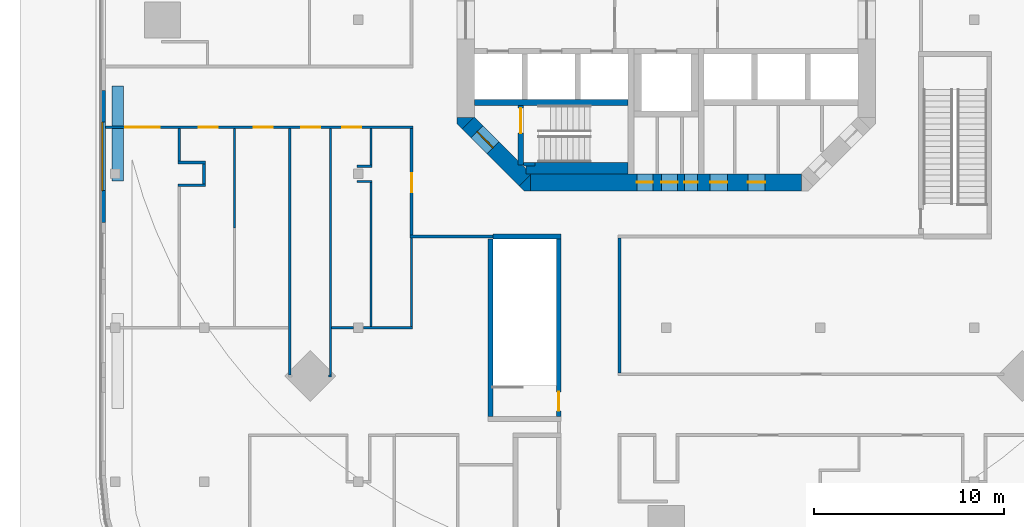
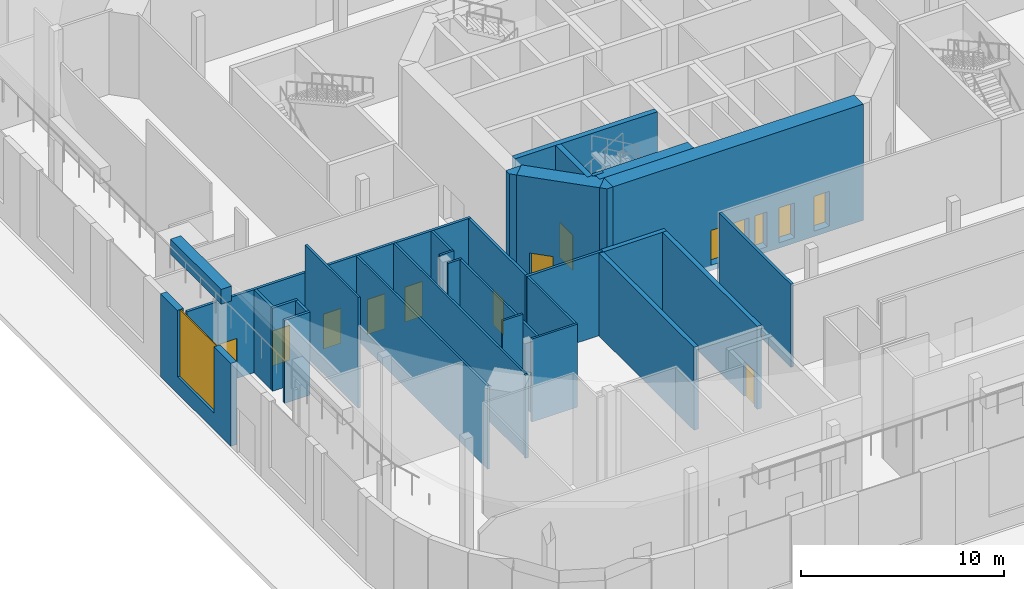
# One storey, part 7 of 17: 32 walls, 14 doors, 1 window, 15 openings.
"""IFC4 building model written with IfcOpenShell, lengths in metres."""

import ifcopenshell
import ifcopenshell.guid

model = None  # the IFC model being written
_history = None  # IfcOwnerHistory: only IFC2X3 demands one
_inside = {}  # id of a spatial element -> (the spatial element, [elements in it])
_under = {}  # id of a project, library or spatial element -> (it, [spatial elements below it])
_declared = {}  # id of a project -> (the project, [libraries it declares])
_typed = {}  # id of a type object -> (the type object, [elements of that type])
_made_of = {}  # id of a material, layer set ... -> (it, [elements and type objects made of it])


def new_model(schema):
    """Start an empty IFC model of exactly this schema.

    Asked for "IFC4X3", IfcOpenShell would pick the latest addendum, in which some entities
    have other attributes; the version numbers below select the first issue.
    IFC2X3 requires an IfcOwnerHistory on every rooted entity: one is made here for all.
    """
    global model, _history
    if schema == "IFC4X3":
        model = ifcopenshell.file(schema_version=(4, 3, 0, 0))
    else:
        model = ifcopenshell.file(schema=schema)
    _inside.clear()
    _under.clear()
    _declared.clear()
    _typed.clear()
    _made_of.clear()
    _history = None
    if model.schema == "IFC2X3":
        org = make("IfcOrganization", Name="unknown")
        user = make(
            "IfcPersonAndOrganization",
            ThePerson=make("IfcPerson", FamilyName="unknown"),
            TheOrganization=org,
        )
        app = make(
            "IfcApplication",
            ApplicationDeveloper=org,
            Version="unknown",
            ApplicationFullName="unknown",
            ApplicationIdentifier="unknown",
        )
        _history = make(
            "IfcOwnerHistory",
            OwningUser=user,
            OwningApplication=app,
            ChangeAction="ADDED",
            CreationDate=0,
        )
    return model


def make(cls, **values):
    """One entity of the class cls with the attributes given. An attribute that is None is left unset."""
    return model.create_entity(
        cls, **{name: value for name, value in values.items() if value is not None}
    )


def rooted(cls, **values):
    """An entity with a GlobalId (a new one), such as an element, a storey or a relation."""
    return make(cls, GlobalId=ifcopenshell.guid.new(), OwnerHistory=_history, **values)


def si_unit(unit_type, name, prefix=None):
    """IfcSIUnit, for example si_unit("LENGTHUNIT", "METRE", prefix="MILLI")."""
    return make("IfcSIUnit", UnitType=unit_type, Prefix=prefix, Name=name)


def assignment(units):
    """IfcUnitAssignment: the units of a project."""
    return None if units is None else make("IfcUnitAssignment", Units=units)


def point(xyz):
    """IfcCartesianPoint."""
    return None if xyz is None else make("IfcCartesianPoint", Coordinates=xyz)


def direction(xyz):
    """IfcDirection."""
    return None if xyz is None else make("IfcDirection", DirectionRatios=xyz)


def frame(location, z_axis=None, x_axis=None):
    """IfcAxis2Placement3D, a coordinate frame: its origin and axes. An axis left out is left unset."""
    return make(
        "IfcAxis2Placement3D",
        Location=point(location),
        Axis=direction(z_axis),
        RefDirection=direction(x_axis),
    )


def frame_2d(location, x_axis=None):
    """IfcAxis2Placement2D, a coordinate frame in the plane: its origin and x axis."""
    return make(
        "IfcAxis2Placement2D", Location=point(location), RefDirection=direction(x_axis)
    )


def origin():
    """The frame at (0, 0, 0) with its axes left unset."""
    return frame((0.0, 0.0, 0.0))


def place(relative_to, where):
    """IfcLocalPlacement: puts the frame where relative to a parent placement (None: the world)."""
    return make(
        "IfcLocalPlacement", PlacementRelTo=relative_to, RelativePlacement=where
    )


def context(
    kind, dimensions, precision=None, world=None, true_north=None, identifier=None
):
    """IfcGeometricRepresentationContext, for example the 3D "Model" context."""
    return make(
        "IfcGeometricRepresentationContext",
        ContextIdentifier=identifier,
        ContextType=kind,
        CoordinateSpaceDimension=dimensions,
        Precision=precision,
        WorldCoordinateSystem=world,
        TrueNorth=true_north,
    )


def subcontext(parent, identifier, kind, view, scale=None):
    """IfcGeometricRepresentationSubContext, for example "Body" below "Model"."""
    return make(
        "IfcGeometricRepresentationSubContext",
        ContextIdentifier=identifier,
        ContextType=kind,
        ParentContext=parent,
        TargetScale=scale,
        TargetView=view,
    )


def project(units=None, contexts=None):
    """IfcProject with its units and contexts."""
    return rooted(
        "IfcProject",
        Name="project",
        RepresentationContexts=contexts,
        UnitsInContext=assignment(units),
    )


def spatial(cls, under=None, at=None, **own):
    """A site, building, storey or space (cls), placed at a placement, below another one or the project."""
    s = rooted(cls, ObjectPlacement=at, **own)
    if under is not None:
        _under.setdefault(under.id(), (under, []))[1].append(s)
    return s


def polyline(points):
    """IfcPolyline through the points."""
    return make("IfcPolyline", Points=[point(p) for p in points])


def profile(cls, at=None, kind="AREA", **sizes):
    """A parametric profile (cls). Its sizes go by their IFC names, for example OverallWidth=200.0."""
    return make(cls, ProfileType=kind, Position=at, **sizes)


def rectangle(**sizes):
    """IfcRectangleProfileDef."""
    return profile("IfcRectangleProfileDef", **sizes)


def outline(outer, holes=None, kind="AREA"):
    """IfcArbitraryClosedProfileDef: a profile drawn as a closed curve; with holes, ...WithVoids."""
    if holes is None:
        return make("IfcArbitraryClosedProfileDef", ProfileType=kind, OuterCurve=outer)
    return make(
        "IfcArbitraryProfileDefWithVoids",
        ProfileType=kind,
        OuterCurve=outer,
        InnerCurves=holes,
    )


def extrude(swept, where, along, depth):
    """IfcExtrudedAreaSolid: the profile swept, set in the frame where, extruded along a direction by depth."""
    return make(
        "IfcExtrudedAreaSolid",
        SweptArea=swept,
        Position=where,
        ExtrudedDirection=direction(along),
        Depth=depth,
    )


def shape(context_of_items, identifier, shape_type, items):
    """IfcShapeRepresentation: the items that make up one representation, for example the "Body"."""
    return make(
        "IfcShapeRepresentation",
        ContextOfItems=context_of_items,
        RepresentationIdentifier=identifier,
        RepresentationType=shape_type,
        Items=items,
    )


def material(Name=None, Category=None):
    """IfcMaterial."""
    return make("IfcMaterial", Name=Name, Category=Category)


def layer(
    of_material, thickness, ventilated=None, Name=None, Category=None, Priority=None
):
    """IfcMaterialLayer: one layer of a wall or slab, of a material (None: an air gap)."""
    return make(
        "IfcMaterialLayer",
        Material=of_material,
        LayerThickness=thickness,
        IsVentilated=ventilated,
        Name=Name,
        Category=Category,
        Priority=Priority,
    )


def layer_set(layers, Name=None):
    """IfcMaterialLayerSet."""
    return make("IfcMaterialLayerSet", MaterialLayers=layers, LayerSetName=Name)


def made_of(thing, what):
    """Note that an element or type object is made of a material, layer set ...; save() writes the relation."""
    if what is not None:
        _made_of.setdefault(what.id(), (what, []))[1].append(thing)
    return thing


def type_object(cls, material=None, **own):
    """A type object (cls), such as IfcWallType, which elements share."""
    return made_of(rooted(cls, **own), material)


def element(
    cls,
    number,
    at=None,
    inside=None,
    cuts=None,
    type_object=None,
    material=None,
    context=None,
    identifier="Body",
    shape_type=None,
    held_by="IfcProductDefinitionShape",
    body=None,
    shapes=None,
    **own,
):
    """One element of the class cls, such as IfcWall. Its Tag is "e" and its number.

    at: its placement. inside: the storey or other place that contains it. cuts: it is an
    opening in that element (IfcRelVoidsElement). A single representation is given by context,
    identifier, shape_type and body (its items); several are given by shapes. held_by: the class
    of the entity that holds the representations. save() writes the other relations.
    """
    e = rooted(cls, Tag="e%d" % number, ObjectPlacement=at, **own)
    if body is not None:
        shapes = [shape(context, identifier, shape_type, body)]
    if shapes is not None:
        e.Representation = make(held_by, Representations=shapes)
    if inside is not None:
        _inside.setdefault(inside.id(), (inside, []))[1].append(e)
    if cuts is not None:
        rooted(
            "IfcRelVoidsElement", RelatingBuildingElement=cuts, RelatedOpeningElement=e
        )
    if type_object is not None:
        _typed.setdefault(type_object.id(), (type_object, []))[1].append(e)
    return made_of(e, material)


def fill(opening, filler):
    """IfcRelFillsElement: the door or window that sits in an opening."""
    return rooted(
        "IfcRelFillsElement",
        RelatingOpeningElement=opening,
        RelatedBuildingElement=filler,
    )


def aggregate(whole, parts):
    """IfcRelAggregates: a whole, such as a stair, and the parts it consists of."""
    return rooted("IfcRelAggregates", RelatingObject=whole, RelatedObjects=parts)


def save(model, path):
    """Write the relations noted so far, then the file.

    IfcRelAggregates (storeys below a building ...), IfcRelContainedInSpatialStructure (elements
    in a storey), IfcRelDefinesByType, IfcRelAssociatesMaterial and IfcRelDeclares: one each for
    every whole, place, type object, material and project.
    """
    for whole, parts in _under.values():
        aggregate(whole, parts)
    for where, things in _inside.values():
        rooted(
            "IfcRelContainedInSpatialStructure",
            RelatedElements=things,
            RelatingStructure=where,
        )
    for kind, things in _typed.values():
        rooted("IfcRelDefinesByType", RelatedObjects=things, RelatingType=kind)
    for what, things in _made_of.values():
        rooted("IfcRelAssociatesMaterial", RelatedObjects=things, RelatingMaterial=what)
    for by, libraries in _declared.values():
        rooted("IfcRelDeclares", RelatingContext=by, RelatedDefinitions=libraries)
    model.write(path)


model = new_model("IFC4")

# Units and contexts
model_context = context("Model", 3, precision=1e-05, world=origin(), true_north=direction((0.0, 1.0)))
body_context = subcontext(model_context, "Body", "Model", "MODEL_VIEW")
ifc_project = project(units=[si_unit("LENGTHUNIT", "METRE"), si_unit("AREAUNIT", "SQUARE_METRE"), si_unit("VOLUMEUNIT", "CUBIC_METRE"), si_unit("PLANEANGLEUNIT", "RADIAN"), si_unit("MASSUNIT", "GRAM", prefix="KILO")], contexts=[model_context])

# Site, building, storey
site_placement = place(None, origin())
site = spatial("IfcSite", under=ifc_project, at=site_placement, CompositionType="ELEMENT")
building_placement = place(site_placement, origin())
building = spatial("IfcBuilding", under=site, at=building_placement, Name="Torre Triforio", CompositionType="ELEMENT")
storey_placement = place(building_placement, frame((0.0, 0.0, 13.0)))
storey = spatial("IfcBuildingStorey", under=building, at=storey_placement, Name="L02", CompositionType="ELEMENT", Elevation=13.0)

# Wall, openings, doors
ifc_material_1 = material(Name="Concrete C60", Category="concrete")
ifc_layer_1 = layer(ifc_material_1, 0.89990234375)
ifc_layer_set_1 = layer_set([ifc_layer_1], Name="Concrete C60")
wall_type_1 = type_object("IfcWallType", Name="Core wall 900 mm C60 EI 120", PredefinedType="SHEAR", material=ifc_layer_set_1)
wall_1_placement = place(storey_placement, frame((-7.1298828125, -8.550048828125, -0.320068359375), z_axis=(0.0, 0.0, 1.0), x_axis=(1.0, 0.0, 0.0)))
wall_1 = element("IfcWall", 1, at=wall_1_placement, inside=storey, type_object=wall_type_1, Name="Core wall", PredefinedType="SHEAR", context=body_context, shape_type="SweptSolid", body=[
    extrude(rectangle(XDim=14.259765625, YDim=0.89990234375, at=frame_2d((7.1298828125, 0.0))), origin(), (0.0, 0.0, 1.0), 7.0),
])
opening_1_placement = place(wall_1_placement, frame((8.080078125, 0.0, 0.320068359375)))
opening_1 = element("IfcOpeningElement", 2, at=opening_1_placement, cuts=wall_1, Name="Opening RISER-S", PredefinedType="OPENING", context=body_context, shape_type="SweptSolid", body=[
    extrude(rectangle(XDim=0.699951171875, YDim=2.10009765625, at=frame_2d((0.35009765625, 1.050048828125))), frame((0.0, 0.4599609375, 0.0), z_axis=(0.0, -1.0, 0.0), x_axis=(1.0, 0.0, 0.0)), (0.0, 0.0, 1.0), 0.919921875),
])
opening_2_placement = place(wall_1_placement, frame((5.580078125, 0.0, 0.320068359375)))
opening_2 = element("IfcOpeningElement", 3, at=opening_2_placement, cuts=wall_1, Name="Opening SW-01A", PredefinedType="OPENING", context=body_context, shape_type="SweptSolid", body=[
    extrude(rectangle(XDim=0.85009765625, YDim=2.10009765625, at=frame_2d((0.425048828125, 1.050048828125))), frame((0.0, 0.4599609375, 0.0), z_axis=(0.0, -1.0, 0.0), x_axis=(1.0, 0.0, 0.0)), (0.0, 0.0, 1.0), 0.919921875),
])
opening_3_placement = place(wall_1_placement, frame((6.8798828125, 0.0, 0.320068359375)))
opening_3 = element("IfcOpeningElement", 4, at=opening_3_placement, cuts=wall_1, Name="Opening SW-02", PredefinedType="OPENING", context=body_context, shape_type="SweptSolid", body=[
    extrude(rectangle(XDim=0.85009765625, YDim=2.10009765625, at=frame_2d((0.425048828125, 1.050048828125))), frame((0.0, 0.4599609375, 0.0), z_axis=(0.0, -1.0, 0.0), x_axis=(1.0, 0.0, 0.0)), (0.0, 0.0, 1.0), 0.919921875),
])
opening_4_placement = place(wall_1_placement, frame((9.445068359375, 0.0, 0.320068359375)))
opening_4 = element("IfcOpeningElement", 5, at=opening_4_placement, cuts=wall_1, Name="Opening SE-01A", PredefinedType="OPENING", context=body_context, shape_type="SweptSolid", body=[
    extrude(rectangle(XDim=0.89990234375, YDim=2.10009765625, at=frame_2d((0.449951171875, 1.050048828125))), frame((0.0, 0.4599609375, 0.0), z_axis=(0.0, -1.0, 0.0), x_axis=(1.0, 0.0, 0.0)), (0.0, 0.0, 1.0), 0.919921875),
])
opening_5_placement = place(wall_1_placement, frame((11.430908203125, 0.0, 0.320068359375)))
opening_5 = element("IfcOpeningElement", 6, at=opening_5_placement, cuts=wall_1, Name="Opening SE-02", PredefinedType="OPENING", context=body_context, shape_type="SweptSolid", body=[
    extrude(rectangle(XDim=0.89990234375, YDim=2.10009765625, at=frame_2d((0.449951171875, 1.050048828125))), frame((0.0, 0.4599609375, 0.0), z_axis=(0.0, -1.0, 0.0), x_axis=(1.0, 0.0, 0.0)), (0.0, 0.0, 1.0), 0.919921875),
])
ifc_material_2 = material(Name="Hollow metal fire door leaf")
door_type_1 = type_object("IfcDoorType", Name="Riser door 700 x 2100 EI 60", OperationType="NOTDEFINED", PredefinedType="DOOR", material=ifc_material_2)
door_1_placement = place(opening_1_placement, origin())
door_1 = element("IfcDoor", 7, at=door_1_placement, inside=storey, type_object=door_type_1, Name="Core door RISER-S", OperationType="SINGLE_SWING_RIGHT", OverallHeight=2.10009765625, OverallWidth=0.699951171875, PredefinedType="DOOR", context=body_context, shape_type="SweptSolid", body=[
    extrude(rectangle(XDim=0.699951171875, YDim=2.10009765625, at=frame_2d((0.35009765625, 1.050048828125))), frame((0.0, 0.02490234375, 0.0), z_axis=(0.0, -1.0, 0.0), x_axis=(1.0, 0.0, 0.0)), (0.0, 0.0, 1.0), 0.050048828125),
])
fill(opening_1, door_1)
door_type_2 = type_object("IfcDoorType", Name="Room door 850 x 2100 EI 60", OperationType="NOTDEFINED", PredefinedType="DOOR", material=ifc_material_2)
door_2_placement = place(opening_2_placement, origin())
door_2 = element("IfcDoor", 8, at=door_2_placement, inside=storey, type_object=door_type_2, Name="Core door SW-01", OperationType="SINGLE_SWING_RIGHT", OverallHeight=2.10009765625, OverallWidth=0.85009765625, PredefinedType="DOOR", context=body_context, shape_type="SweptSolid", body=[
    extrude(rectangle(XDim=0.85009765625, YDim=2.10009765625, at=frame_2d((0.425048828125, 1.050048828125))), frame((0.0, 0.02490234375, 0.0), z_axis=(0.0, -1.0, 0.0), x_axis=(1.0, 0.0, 0.0)), (0.0, 0.0, 1.0), 0.050048828125),
])
fill(opening_2, door_2)
door_3_placement = place(opening_3_placement, origin())
door_3 = element("IfcDoor", 9, at=door_3_placement, inside=storey, type_object=door_type_2, Name="Core door SW-02", OperationType="SINGLE_SWING_LEFT", OverallHeight=2.10009765625, OverallWidth=0.85009765625, PredefinedType="DOOR", context=body_context, shape_type="SweptSolid", body=[
    extrude(rectangle(XDim=0.85009765625, YDim=2.10009765625, at=frame_2d((0.425048828125, 1.050048828125))), frame((0.0, 0.02490234375, 0.0), z_axis=(0.0, -1.0, 0.0), x_axis=(1.0, 0.0, 0.0)), (0.0, 0.0, 1.0), 0.050048828125),
])
fill(opening_3, door_3)
door_type_3 = type_object("IfcDoorType", Name="Room door 900 x 2100 EI 60", OperationType="NOTDEFINED", PredefinedType="DOOR", material=ifc_material_2)
door_4_placement = place(opening_4_placement, origin())
door_4 = element("IfcDoor", 10, at=door_4_placement, inside=storey, type_object=door_type_3, Name="Core door SE-01", OperationType="SINGLE_SWING_RIGHT", OverallHeight=2.10009765625, OverallWidth=0.89990234375, PredefinedType="DOOR", context=body_context, shape_type="SweptSolid", body=[
    extrude(rectangle(XDim=0.89990234375, YDim=2.10009765625, at=frame_2d((0.449951171875, 1.050048828125))), frame((0.0, 0.02490234375, 0.0), z_axis=(0.0, -1.0, 0.0), x_axis=(1.0, 0.0, 0.0)), (0.0, 0.0, 1.0), 0.050048828125),
])
fill(opening_4, door_4)
door_5_placement = place(opening_5_placement, origin())
door_5 = element("IfcDoor", 11, at=door_5_placement, inside=storey, type_object=door_type_3, Name="Core door SE-02", OperationType="SINGLE_SWING_LEFT", OverallHeight=2.10009765625, OverallWidth=0.89990234375, PredefinedType="DOOR", context=body_context, shape_type="SweptSolid", body=[
    extrude(rectangle(XDim=0.89990234375, YDim=2.10009765625, at=frame_2d((0.449951171875, 1.050048828125))), frame((0.0, 0.02490234375, 0.0), z_axis=(0.0, -1.0, 0.0), x_axis=(1.0, 0.0, 0.0)), (0.0, 0.0, 1.0), 0.050048828125),
])
fill(opening_5, door_5)

# Wall, opening, door
wall_2_placement = place(storey_placement, frame((-7.418212890625, -8.418212890625, -0.320068359375), z_axis=(0.0, 0.0, 1.0), x_axis=(-0.707106781187, 0.707106781187, 0.0)))
wall_2 = element("IfcWall", 12, at=wall_2_placement, inside=storey, type_object=wall_type_1, Name="Core wall", PredefinedType="SHEAR", context=body_context, shape_type="SweptSolid", body=[
    extrude(rectangle(XDim=4.24267578125, YDim=0.89990234375, at=frame_2d((2.121337890625, 0.0))), origin(), (0.0, 0.0, 1.0), 7.0),
])
opening_6_placement = place(wall_2_placement, frame((2.392578125, 0.0, 0.320068359375)))
opening_6 = element("IfcOpeningElement", 13, at=opening_6_placement, cuts=wall_2, Name="Opening ST3-EXIT", PredefinedType="OPENING", context=body_context, shape_type="SweptSolid", body=[
    extrude(rectangle(XDim=1.199951171875, YDim=2.10009765625, at=frame_2d((0.60009765625, 1.050048828125))), frame((0.0, 0.4599609375, 0.0), z_axis=(0.0, -1.0, 0.0), x_axis=(1.0, 0.0, 0.0)), (0.0, 0.0, 1.0), 0.919921875),
])
door_type_4 = type_object("IfcDoorType", Name="Stair lobby door 1200 x 2100 EI 60", OperationType="NOTDEFINED", PredefinedType="DOOR", material=ifc_material_2)
door_6_placement = place(opening_6_placement, origin())
door_6 = element("IfcDoor", 14, at=door_6_placement, inside=storey, type_object=door_type_4, Name="Core door ST3-EXIT", OperationType="SINGLE_SWING_RIGHT", OverallHeight=2.10009765625, OverallWidth=1.199951171875, PredefinedType="DOOR", context=body_context, shape_type="SweptSolid", body=[
    extrude(rectangle(XDim=1.199951171875, YDim=2.10009765625, at=frame_2d((0.60009765625, 1.050048828125))), frame((0.0, 0.02490234375, 0.0), z_axis=(0.0, -1.0, 0.0), x_axis=(1.0, 0.0, 0.0)), (0.0, 0.0, 1.0), 0.050048828125),
])
fill(opening_6, door_6)

# Walls
wall_3_placement = place(storey_placement, frame((0.0, 0.0, -0.320068359375)))
element("IfcWall", 15, at=wall_3_placement, inside=storey, type_object=wall_type_1, Name="Core wall", PredefinedType="SHEAR", context=body_context, shape_type="SweptSolid", body=[
    extrude(outline(polyline([(-7.472900390625, -9.0), (-7.736328125, -8.736328125), (-7.1298828125, -8.1298828125), (-7.1298828125, -9.0), (-7.472900390625, -9.0)])), origin(), (0.0, 0.0, 1.0), 7.0),
])
wall_4_placement = place(storey_placement, frame((0.0, 0.0, -0.320068359375)))
element("IfcWall", 16, at=wall_4_placement, inside=storey, type_object=wall_type_1, Name="Core wall", PredefinedType="SHEAR", context=body_context, shape_type="SweptSolid", body=[
    extrude(outline(polyline([(-11.0, -5.472900390625), (-11.0, -5.1298828125), (-10.1298828125, -5.1298828125), (-10.736328125, -5.736328125), (-11.0, -5.472900390625)])), origin(), (0.0, 0.0, 1.0), 7.0),
])
ifc_material_3 = material(Name="Plasterboard on metal studs")
ifc_layer_2 = layer(ifc_material_3, 0.14990234375)
ifc_layer_set_2 = layer_set([ifc_layer_2], Name="Plasterboard on metal studs")
wall_type_2 = type_object("IfcWallType", Name="Corridor wall 150 EI 60", PredefinedType="PARTITIONING", material=ifc_layer_set_2)
for number, where, z_axis, x_axis, name in (
    (17, (-25.695556640625, -8.699951171875, 0.0), (0.0, 0.0, 1.0), (1.0, 0.0, 0.0), "Corridor wall L02 023"),
    (18, (-25.695556640625, -7.5, 0.0), (0.0, 0.0, 1.0), (1.0, 0.0, 0.0), "Corridor wall L02 024"),
):
    element("IfcWall", number, at=place(storey_placement, frame(where, z_axis=z_axis, x_axis=x_axis)), inside=storey, type_object=wall_type_2, Name=name, PredefinedType="PARTITIONING", context=body_context, shape_type="SweptSolid", body=[
        extrude(rectangle(XDim=1.450439453125, YDim=0.14990234375, at=frame_2d((0.72509765625, 0.0))), origin(), (0.0, 0.0, 1.0), 5.0),
    ])
wall_5_placement = place(storey_placement, frame((-25.62060546875, -7.425048828125, 0.0), z_axis=(0.0, 0.0, 1.0), x_axis=(0.0, 1.0, 0.0)))
element("IfcWall", 19, at=wall_5_placement, inside=storey, type_object=wall_type_2, Name="Corridor wall L02 026", PredefinedType="PARTITIONING", context=body_context, shape_type="SweptSolid", body=[
    extrude(rectangle(XDim=1.699951171875, YDim=0.14990234375, at=frame_2d((0.85009765625, 0.0))), origin(), (0.0, 0.0, 1.0), 5.0),
])
wall_6_placement = place(storey_placement, frame((-24.320068359375, -8.625, 0.0), z_axis=(0.0, 0.0, 1.0), x_axis=(0.0, 1.0, 0.0)))
element("IfcWall", 20, at=wall_6_placement, inside=storey, type_object=wall_type_2, Name="Corridor wall L02 027", PredefinedType="PARTITIONING", context=body_context, shape_type="SweptSolid", body=[
    extrude(rectangle(XDim=1.050048828125, YDim=0.14990234375, at=frame_2d((0.52490234375, 0.0))), origin(), (0.0, 0.0, 1.0), 5.0),
])

# Wall, openings, doors
wall_7_placement = place(storey_placement, frame((-29.5, -5.64990234375, 0.0), z_axis=(0.0, 0.0, 1.0), x_axis=(1.0, 0.0, 0.0)))
wall_7 = element("IfcWall", 21, at=wall_7_placement, inside=storey, type_object=wall_type_2, Name="Corridor wall L02 059", PredefinedType="PARTITIONING", context=body_context, shape_type="SweptSolid", body=[
    extrude(rectangle(XDim=16.175048828125, YDim=0.14990234375, at=frame_2d((8.08740234375, 0.0))), origin(), (0.0, 0.0, 1.0), 5.0),
])
opening_7_placement = place(wall_7_placement, frame((1.050048828125, 0.0, 0.0)))
opening_7 = element("IfcOpeningElement", 22, at=opening_7_placement, cuts=wall_7, Name="Opening P2-41", PredefinedType="OPENING", context=body_context, shape_type="SweptSolid", body=[
    extrude(rectangle(XDim=1.800048828125, YDim=2.39990234375, at=frame_2d((0.89990234375, 1.199951171875))), frame((0.0, 0.0849609375, 0.0), z_axis=(0.0, -1.0, 0.0), x_axis=(1.0, 0.0, 0.0)), (0.0, 0.0, 1.0), 0.169921875),
])
opening_8_placement = place(wall_7_placement, frame((4.904541015625, 0.0, 0.0)))
opening_8 = element("IfcOpeningElement", 23, at=opening_8_placement, cuts=wall_7, Name="Opening P2-42", PredefinedType="OPENING", context=body_context, shape_type="SweptSolid", body=[
    extrude(rectangle(XDim=1.0, YDim=2.10009765625, at=frame_2d((0.5, 1.050048828125))), frame((0.0, 0.0849609375, 0.0), z_axis=(0.0, -1.0, 0.0), x_axis=(1.0, 0.0, 0.0)), (0.0, 0.0, 1.0), 0.169921875),
])
opening_9_placement = place(wall_7_placement, frame((7.79931640625, 0.0, 0.0)))
opening_9 = element("IfcOpeningElement", 24, at=opening_9_placement, cuts=wall_7, Name="Opening P2-43", PredefinedType="OPENING", context=body_context, shape_type="SweptSolid", body=[
    extrude(rectangle(XDim=1.0, YDim=2.10009765625, at=frame_2d((0.5, 1.050048828125))), frame((0.0, 0.0849609375, 0.0), z_axis=(0.0, -1.0, 0.0), x_axis=(1.0, 0.0, 0.0)), (0.0, 0.0, 1.0), 0.169921875),
])
opening_10_placement = place(wall_7_placement, frame((10.308837890625, 0.0, 0.0)))
opening_10 = element("IfcOpeningElement", 25, at=opening_10_placement, cuts=wall_7, Name="Opening P2-44", PredefinedType="OPENING", context=body_context, shape_type="SweptSolid", body=[
    extrude(rectangle(XDim=1.0, YDim=2.10009765625, at=frame_2d((0.5, 1.050048828125))), frame((0.0, 0.0849609375, 0.0), z_axis=(0.0, -1.0, 0.0), x_axis=(1.0, 0.0, 0.0)), (0.0, 0.0, 1.0), 0.169921875),
])
opening_11_placement = place(wall_7_placement, frame((12.4423828125, 0.0, 0.0)))
opening_11 = element("IfcOpeningElement", 26, at=opening_11_placement, cuts=wall_7, Name="Opening P2-45", PredefinedType="OPENING", context=body_context, shape_type="SweptSolid", body=[
    extrude(rectangle(XDim=1.0, YDim=2.10009765625, at=frame_2d((0.5, 1.050048828125))), frame((0.0, 0.0849609375, 0.0), z_axis=(0.0, -1.0, 0.0), x_axis=(1.0, 0.0, 0.0)), (0.0, 0.0, 1.0), 0.169921875),
])
ifc_material_4 = material(Name="Timber door leaf", Category="wood")
door_type_5 = type_object("IfcDoorType", Name="Double door 1800 x 2400 EI 60", OperationType="NOTDEFINED", PredefinedType="DOOR", material=ifc_material_4)
door_7_placement = place(opening_7_placement, origin())
door_7 = element("IfcDoor", 27, at=door_7_placement, inside=storey, type_object=door_type_5, Name="Door P2-41", OperationType="SINGLE_SWING_LEFT", OverallHeight=2.39990234375, OverallWidth=1.800048828125, PredefinedType="DOOR", context=body_context, shape_type="SweptSolid", body=[
    extrude(rectangle(XDim=1.800048828125, YDim=2.39990234375, at=frame_2d((0.89990234375, 1.199951171875))), frame((0.0, 0.02490234375, 0.0), z_axis=(0.0, -1.0, 0.0), x_axis=(1.0, 0.0, 0.0)), (0.0, 0.0, 1.0), 0.050048828125),
])
fill(opening_7, door_7)
door_type_6 = type_object("IfcDoorType", Name="Single door 1000 x 2100 EI 30", OperationType="NOTDEFINED", PredefinedType="DOOR", material=ifc_material_4)
door_8_placement = place(opening_8_placement, origin())
door_8 = element("IfcDoor", 28, at=door_8_placement, inside=storey, type_object=door_type_6, Name="Door P2-42", OperationType="SINGLE_SWING_LEFT", OverallHeight=2.10009765625, OverallWidth=1.0, PredefinedType="DOOR", context=body_context, shape_type="SweptSolid", body=[
    extrude(rectangle(XDim=1.0, YDim=2.10009765625, at=frame_2d((0.5, 1.050048828125))), frame((0.0, 0.02490234375, 0.0), z_axis=(0.0, -1.0, 0.0), x_axis=(1.0, 0.0, 0.0)), (0.0, 0.0, 1.0), 0.050048828125),
])
fill(opening_8, door_8)
door_9_placement = place(opening_9_placement, origin())
door_9 = element("IfcDoor", 29, at=door_9_placement, inside=storey, type_object=door_type_6, Name="Door P2-43", OperationType="SINGLE_SWING_LEFT", OverallHeight=2.10009765625, OverallWidth=1.0, PredefinedType="DOOR", context=body_context, shape_type="SweptSolid", body=[
    extrude(rectangle(XDim=1.0, YDim=2.10009765625, at=frame_2d((0.5, 1.050048828125))), frame((0.0, 0.02490234375, 0.0), z_axis=(0.0, -1.0, 0.0), x_axis=(1.0, 0.0, 0.0)), (0.0, 0.0, 1.0), 0.050048828125),
])
fill(opening_9, door_9)
door_10_placement = place(opening_10_placement, origin())
door_10 = element("IfcDoor", 30, at=door_10_placement, inside=storey, type_object=door_type_6, Name="Door P2-44", OperationType="SINGLE_SWING_LEFT", OverallHeight=2.10009765625, OverallWidth=1.0, PredefinedType="DOOR", context=body_context, shape_type="SweptSolid", body=[
    extrude(rectangle(XDim=1.0, YDim=2.10009765625, at=frame_2d((0.5, 1.050048828125))), frame((0.0, 0.02490234375, 0.0), z_axis=(0.0, -1.0, 0.0), x_axis=(1.0, 0.0, 0.0)), (0.0, 0.0, 1.0), 0.050048828125),
])
fill(opening_10, door_10)
door_11_placement = place(opening_11_placement, origin())
door_11 = element("IfcDoor", 31, at=door_11_placement, inside=storey, type_object=door_type_6, Name="Door P2-45", OperationType="SINGLE_SWING_LEFT", OverallHeight=2.10009765625, OverallWidth=1.0, PredefinedType="DOOR", context=body_context, shape_type="SweptSolid", body=[
    extrude(rectangle(XDim=1.0, YDim=2.10009765625, at=frame_2d((0.5, 1.050048828125))), frame((0.0, 0.02490234375, 0.0), z_axis=(0.0, -1.0, 0.0), x_axis=(1.0, 0.0, 0.0)), (0.0, 0.0, 1.0), 0.050048828125),
])
fill(opening_11, door_11)

# Wall, opening, door
wall_8_placement = place(storey_placement, frame((-13.39990234375, -11.324951171875, 0.0), z_axis=(0.0, 0.0, 1.0), x_axis=(0.0, 1.0, 0.0)))
wall_8 = element("IfcWall", 32, at=wall_8_placement, inside=storey, type_object=wall_type_2, Name="Corridor wall L02 143", PredefinedType="PARTITIONING", context=body_context, shape_type="SweptSolid", body=[
    extrude(rectangle(XDim=5.599853515625, YDim=0.14990234375, at=frame_2d((2.7998046875, 0.0))), origin(), (0.0, 0.0, 1.0), 5.0),
])
opening_12_placement = place(wall_8_placement, frame((2.25, 0.0, 0.0)))
opening_12 = element("IfcOpeningElement", 33, at=opening_12_placement, cuts=wall_8, Name="Opening P2-46", PredefinedType="OPENING", context=body_context, shape_type="SweptSolid", body=[
    extrude(rectangle(XDim=1.0, YDim=2.10009765625, at=frame_2d((0.5, 1.050048828125))), frame((0.0, 0.0849609375, 0.0), z_axis=(0.0, -1.0, 0.0), x_axis=(1.0, 0.0, 0.0)), (0.0, 0.0, 1.0), 0.169921875),
])
door_12_placement = place(opening_12_placement, origin())
door_12 = element("IfcDoor", 34, at=door_12_placement, inside=storey, type_object=door_type_6, Name="Door P2-46", OperationType="SINGLE_SWING_LEFT", OverallHeight=2.10009765625, OverallWidth=1.0, PredefinedType="DOOR", context=body_context, shape_type="SweptSolid", body=[
    extrude(rectangle(XDim=1.0, YDim=2.10009765625, at=frame_2d((0.5, 1.050048828125))), frame((0.0, 0.02490234375, 0.0), z_axis=(0.0, -1.0, 0.0), x_axis=(1.0, 0.0, 0.0)), (0.0, 0.0, 1.0), 0.050048828125),
])
fill(opening_12, door_12)

# Walls
wall_9_placement = place(storey_placement, frame((-13.47509765625, -11.39990234375, 0.0), z_axis=(0.0, 0.0, 1.0), x_axis=(1.0, 0.0, 0.0)))
element("IfcWall", 35, at=wall_9_placement, inside=storey, type_object=wall_type_2, Name="Corridor wall L02 146", PredefinedType="PARTITIONING", context=body_context, shape_type="SweptSolid", body=[
    extrude(rectangle(XDim=4.35009765625, YDim=0.14990234375, at=frame_2d((2.175048828125, 0.0))), origin(), (0.0, 0.0, 1.0), 5.0),
])
wall_10_placement = place(storey_placement, frame((-2.449951171875, -18.574951171875, 0.0), z_axis=(0.0, 0.0, 1.0), x_axis=(0.0, 1.0, 0.0)))
element("IfcWall", 36, at=wall_10_placement, inside=storey, type_object=wall_type_2, Name="Corridor wall L02 156", PredefinedType="PARTITIONING", context=body_context, shape_type="SweptSolid", body=[
    extrude(rectangle(XDim=7.099853515625, YDim=0.14990234375, at=frame_2d((3.5498046875, 0.0))), origin(), (0.0, 0.0, 1.0), 5.0),
])
ifc_layer_3 = layer(ifc_material_3, 0.1201171875)
ifc_layer_set_3 = layer_set([ifc_layer_3], Name="Plasterboard on metal studs")
wall_type_3 = type_object("IfcWallType", Name="Partition 120", PredefinedType="PARTITIONING", material=ifc_layer_set_3)
wall_11_placement = place(storey_placement, frame((-22.710693359375, -10.952392578125, 0.0), z_axis=(0.0, 0.0, 1.0), x_axis=(0.0, 1.0, 0.0)))
element("IfcWall", 37, at=wall_11_placement, inside=storey, type_object=wall_type_3, Name="Partition L02 022", PredefinedType="PARTITIONING", context=body_context, shape_type="SweptSolid", body=[
    extrude(rectangle(XDim=5.227294921875, YDim=0.1201171875, at=frame_2d((2.61376953125, 0.0))), origin(), (0.0, 0.0, 1.0), 6.679931640625),
])
wall_12_placement = place(storey_placement, frame((-17.7783203125, -18.73828125, 0.0), z_axis=(0.0, 0.0, 1.0), x_axis=(1.0, 0.0, 0.0)))
element("IfcWall", 38, at=wall_12_placement, inside=storey, type_object=wall_type_3, Name="Partition L02 165", PredefinedType="PARTITIONING", context=body_context, shape_type="SweptSolid", body=[
    extrude(rectangle(XDim=0.1708984375, YDim=0.1201171875, at=frame_2d((0.08544921875, 0.0))), origin(), (0.0, 0.0, 1.0), 5.0),
])
for number, where, z_axis, x_axis, name in (
    (39, (-19.80126953125, -18.67822265625, 0.0), (0.0, 0.0, 1.0), (0.0, 1.0, 0.0), "Partition L02 166"),
    (40, (-17.66748046875, -18.67822265625, 0.0), (0.0, 0.0, 1.0), (0.0, 1.0, 0.0), "Partition L02 167"),
):
    element("IfcWall", number, at=place(storey_placement, frame(where, z_axis=z_axis, x_axis=x_axis)), inside=storey, type_object=wall_type_3, Name=name, PredefinedType="PARTITIONING", context=body_context, shape_type="SweptSolid", body=[
        extrude(rectangle(XDim=12.953125, YDim=0.1201171875, at=frame_2d((6.4765625, 0.0))), origin(), (0.0, 0.0, 1.0), 5.0),
    ])
for number, where, z_axis, x_axis, name in (
    (41, (-16.260009765625, -8.5, 0.0), (0.0, 0.0, 1.0), (1.0, 0.0, 0.0), "Partition L02 168"),
    (42, (-16.260009765625, -7.699951171875, 0.0), (0.0, 0.0, 1.0), (1.0, 0.0, 0.0), "Partition L02 169"),
):
    element("IfcWall", number, at=place(storey_placement, frame(where, z_axis=z_axis, x_axis=x_axis)), inside=storey, type_object=wall_type_3, Name=name, PredefinedType="PARTITIONING", context=body_context, shape_type="SweptSolid", body=[
        extrude(rectangle(XDim=0.786376953125, YDim=0.1201171875, at=frame_2d((0.39306640625, 0.0))), origin(), (0.0, 0.0, 1.0), 5.0),
    ])
wall_13_placement = place(storey_placement, frame((-15.53369140625, -16.139892578125, 0.0), z_axis=(0.0, 0.0, 1.0), x_axis=(0.0, 1.0, 0.0)))
element("IfcWall", 43, at=wall_13_placement, inside=storey, type_object=wall_type_3, Name="Partition L02 170", PredefinedType="PARTITIONING", context=body_context, shape_type="SweptSolid", body=[
    extrude(rectangle(XDim=7.579833984375, YDim=0.1201171875, at=frame_2d((3.7900390625, 0.0))), origin(), (0.0, 0.0, 1.0), 5.0),
])
wall_14_placement = place(storey_placement, frame((-15.53369140625, -7.639892578125, 0.0), z_axis=(0.0, 0.0, 1.0), x_axis=(0.0, 1.0, 0.0)))
element("IfcWall", 44, at=wall_14_placement, inside=storey, type_object=wall_type_3, Name="Partition L02 171", PredefinedType="PARTITIONING", context=body_context, shape_type="SweptSolid", body=[
    extrude(rectangle(XDim=1.914794921875, YDim=0.1201171875, at=frame_2d((0.95751953125, 0.0))), origin(), (0.0, 0.0, 1.0), 5.0),
])
wall_15_placement = place(storey_placement, frame((-17.607421875, -16.199951171875, 0.0), z_axis=(0.0, 0.0, 1.0), x_axis=(1.0, 0.0, 0.0)))
element("IfcWall", 45, at=wall_15_placement, inside=storey, type_object=wall_type_3, Name="Partition L02 172", PredefinedType="PARTITIONING", context=body_context, shape_type="SweptSolid", body=[
    extrude(rectangle(XDim=1.1474609375, YDim=0.1201171875, at=frame_2d((0.57373046875, 0.0))), origin(), (0.0, 0.0, 1.0), 6.679931640625),
])
wall_16_placement = place(storey_placement, frame((-15.93994140625, -16.199951171875, 0.0), z_axis=(0.0, 0.0, 1.0), x_axis=(1.0, 0.0, 0.0)))
element("IfcWall", 46, at=wall_16_placement, inside=storey, type_object=wall_type_3, Name="Partition L02 173", PredefinedType="PARTITIONING", context=body_context, shape_type="SweptSolid", body=[
    extrude(rectangle(XDim=2.599853515625, YDim=0.1201171875, at=frame_2d((1.2998046875, 0.0))), origin(), (0.0, 0.0, 1.0), 5.0),
])
wall_17_placement = place(storey_placement, frame((-13.39990234375, -16.139892578125, 0.0), z_axis=(0.0, 0.0, 1.0), x_axis=(0.0, 1.0, 0.0)))
element("IfcWall", 47, at=wall_17_placement, inside=storey, type_object=wall_type_3, Name="Partition L02 174", PredefinedType="PARTITIONING", context=body_context, shape_type="SweptSolid", body=[
    extrude(rectangle(XDim=4.664794921875, YDim=0.1201171875, at=frame_2d((2.33251953125, 0.0))), origin(), (0.0, 0.0, 1.0), 5.0),
])
ifc_layer_4 = layer(ifc_material_1, 0.300048828125)
ifc_layer_set_4 = layer_set([ifc_layer_4], Name="Concrete C60")
wall_type_4 = type_object("IfcWallType", Name="Shaft wall 300 mm C60 EI 120", PredefinedType="SOLIDWALL", material=ifc_layer_set_4)
wall_18_placement = place(storey_placement, frame((-10.10009765625, -4.35009765625, 0.0), z_axis=(0.0, 0.0, 1.0), x_axis=(1.0, 0.0, 0.0)))
element("IfcWall", 48, at=wall_18_placement, inside=storey, type_object=wall_type_4, Name="Shaft wall", PredefinedType="SOLIDWALL", context=body_context, shape_type="SweptSolid", body=[
    extrude(rectangle(XDim=8.10009765625, YDim=0.300048828125, at=frame_2d((4.050048828125, 0.0))), origin(), (0.0, 0.0, 1.0), 6.679931640625),
])
ifc_material_5 = material(Name="Concrete C40", Category="concrete")
ifc_layer_5 = layer(ifc_material_5, 0.25)
ifc_layer_set_5 = layer_set([ifc_layer_5], Name="Concrete C40")
wall_type_5 = type_object("IfcWallType", Name="Stair enclosure wall 250 EI 120", PredefinedType="STANDARD", material=ifc_layer_set_5)
wall_19_placement = place(storey_placement, frame((-9.125, -11.39990234375, 0.0), z_axis=(0.0, 0.0, 1.0), x_axis=(1.0, 0.0, 0.0)))
element("IfcWall", 49, at=wall_19_placement, inside=storey, type_object=wall_type_5, Name="Stair enclosure wall L02 136", PredefinedType="STANDARD", context=body_context, shape_type="SweptSolid", body=[
    extrude(rectangle(XDim=3.60009765625, YDim=0.25, at=frame_2d((1.800048828125, 0.0))), origin(), (0.0, 0.0, 1.0), 5.0),
])

# Wall, opening, door
wall_20_placement = place(storey_placement, frame((-5.64990234375, -20.875, 0.0), z_axis=(0.0, 0.0, 1.0), x_axis=(0.0, 1.0, 0.0)))
wall_20 = element("IfcWall", 50, at=wall_20_placement, inside=storey, type_object=wall_type_5, Name="Stair enclosure wall L02 137", PredefinedType="STANDARD", context=body_context, shape_type="SweptSolid", body=[
    extrude(rectangle(XDim=9.35009765625, YDim=0.25, at=frame_2d((4.675048828125, 0.0))), origin(), (0.0, 0.0, 1.0), 5.0),
])
opening_13_placement = place(wall_20_placement, frame((0.300048828125, 0.0, 0.0)))
opening_13 = element("IfcOpeningElement", 51, at=opening_13_placement, cuts=wall_20, Name="Opening P2-03", PredefinedType="OPENING", context=body_context, shape_type="SweptSolid", body=[
    extrude(rectangle(XDim=1.0, YDim=2.10009765625, at=frame_2d((0.5, 1.050048828125))), frame((0.0, 0.135009765625, 0.0), z_axis=(0.0, -1.0, 0.0), x_axis=(1.0, 0.0, 0.0)), (0.0, 0.0, 1.0), 0.27001953125),
])
door_type_7 = type_object("IfcDoorType", Name="Stair door 1000 x 2100 EI 90", OperationType="NOTDEFINED", PredefinedType="DOOR", material=ifc_material_2)
door_13_placement = place(opening_13_placement, origin())
door_13 = element("IfcDoor", 52, at=door_13_placement, inside=storey, type_object=door_type_7, Name="Door P2-03", OperationType="SINGLE_SWING_LEFT", OverallHeight=2.10009765625, OverallWidth=1.0, PredefinedType="DOOR", context=body_context, shape_type="SweptSolid", body=[
    extrude(rectangle(XDim=1.0, YDim=2.10009765625, at=frame_2d((0.5, 1.050048828125))), frame((0.0, 0.02490234375, 0.0), z_axis=(0.0, -1.0, 0.0), x_axis=(1.0, 0.0, 0.0)), (0.0, 0.0, 1.0), 0.050048828125),
])
fill(opening_13, door_13)

# Walls
wall_21_placement = place(storey_placement, frame((-9.25, -20.875, 0.0), z_axis=(0.0, 0.0, 1.0), x_axis=(0.0, 1.0, 0.0)))
element("IfcWall", 53, at=wall_21_placement, inside=storey, type_object=wall_type_5, Name="Stair enclosure wall L02 139", PredefinedType="STANDARD", context=body_context, shape_type="SweptSolid", body=[
    extrude(rectangle(XDim=9.35009765625, YDim=0.25, at=frame_2d((4.675048828125, 0.0))), origin(), (0.0, 0.0, 1.0), 5.0),
])
ifc_layer_6 = layer(ifc_material_1, 0.199951171875)
ifc_layer_set_6 = layer_set([ifc_layer_6], Name="Concrete C60")
wall_type_6 = type_object("IfcWallType", Name="Stair wall 200 mm C60 EI 120", PredefinedType="SHEAR", material=ifc_layer_set_6)
wall_22_placement = place(storey_placement, frame((-7.5, -7.60009765625, 0.0), z_axis=(0.0, 0.0, 1.0), x_axis=(1.0, 0.0, 0.0)))
element("IfcWall", 54, at=wall_22_placement, inside=storey, type_object=wall_type_6, Name="Stair wall", PredefinedType="SHEAR", context=body_context, shape_type="SweptSolid", body=[
    extrude(rectangle(XDim=0.60009765625, YDim=0.199951171875, at=frame_2d((0.300048828125, 0.0))), origin(), (0.0, 0.0, 1.0), 6.679931640625),
])

# Wall, opening, door
ifc_layer_7 = layer(ifc_material_1, 0.300048828125)
ifc_layer_set_7 = layer_set([ifc_layer_7], Name="Concrete C60")
wall_type_7 = type_object("IfcWallType", Name="Stair wall 300 mm C60 EI 120", PredefinedType="SHEAR", material=ifc_layer_set_7)
wall_23_placement = place(storey_placement, frame((-7.64990234375, -7.639892578125, 0.0), z_axis=(0.0, 0.0, 1.0), x_axis=(0.0, 1.0, 0.0)))
wall_23 = element("IfcWall", 55, at=wall_23_placement, inside=storey, type_object=wall_type_7, Name="Stair wall", PredefinedType="SHEAR", context=body_context, shape_type="SweptSolid", body=[
    extrude(rectangle(XDim=3.139892578125, YDim=0.300048828125, at=frame_2d((1.56982421875, 0.0))), origin(), (0.0, 0.0, 1.0), 6.679931640625),
])
opening_14_placement = place(wall_23_placement, frame((1.679931640625, 0.0, 0.0)))
opening_14 = element("IfcOpeningElement", 56, at=opening_14_placement, cuts=wall_23, Name="Opening ST3-STA", PredefinedType="OPENING", context=body_context, shape_type="SweptSolid", body=[
    extrude(rectangle(XDim=1.320068359375, YDim=2.10009765625, at=frame_2d((0.66015625, 1.050048828125))), frame((0.0, 0.159912109375, 0.0), z_axis=(0.0, -1.0, 0.0), x_axis=(1.0, 0.0, 0.0)), (0.0, 0.0, 1.0), 0.320068359375),
])
door_type_8 = type_object("IfcDoorType", Name="Stair door 1320 x 2100 EI 90", OperationType="DOUBLE_DOOR_SINGLE_SWING", PredefinedType="DOOR", material=ifc_material_2)
door_14_placement = place(opening_14_placement, origin())
door_14 = element("IfcDoor", 57, at=door_14_placement, inside=storey, type_object=door_type_8, Name="Core door ST3-ST", OperationType="DOUBLE_DOOR_SINGLE_SWING", OverallHeight=2.10009765625, OverallWidth=1.320068359375, PredefinedType="DOOR", context=body_context, shape_type="SweptSolid", body=[
    extrude(rectangle(XDim=1.320068359375, YDim=2.10009765625, at=frame_2d((0.66015625, 1.050048828125))), frame((0.0, 0.02490234375, 0.0), z_axis=(0.0, -1.0, 0.0), x_axis=(1.0, 0.0, 0.0)), (0.0, 0.0, 1.0), 0.050048828125),
])
fill(opening_14, door_14)

# Wall
ifc_layer_8 = layer(ifc_material_1, 0.60009765625)
ifc_layer_set_8 = layer_set([ifc_layer_8], Name="Concrete C60")
wall_type_8 = type_object("IfcWallType", Name="Stair wall 600 mm C60 EI 120", PredefinedType="SHEAR", material=ifc_layer_set_8)
wall_24_placement = place(storey_placement, frame((-7.3701171875, -7.800048828125, 0.0), z_axis=(0.0, 0.0, 1.0), x_axis=(1.0, 0.0, 0.0)))
element("IfcWall", 58, at=wall_24_placement, inside=storey, type_object=wall_type_8, Name="Stair wall", PredefinedType="SHEAR", context=body_context, shape_type="SweptSolid", body=[
    extrude(rectangle(XDim=5.3701171875, YDim=0.60009765625, at=frame_2d((2.68505859375, 0.0))), origin(), (0.0, 0.0, 1.0), 6.679931640625),
])

# Wall, opening, window
ifc_material_6 = material(Name="Limestone cladding", Category="masonry")
ifc_layer_9 = layer(ifc_material_6, 0.10009765625)
ifc_layer_10 = layer(ifc_material_5, 0.25)
ifc_layer_set_9 = layer_set([ifc_layer_9, ifc_layer_10], Name="Limestone cladding / Concrete C40")
wall_type_9 = type_object("IfcWallType", Name="Stone-clad podium wall 350", PredefinedType="STANDARD", material=ifc_layer_set_9)
wall_25_placement = place(storey_placement, frame((-29.675048828125, -3.72314453125, 0.0), z_axis=(0.0, 0.0, 1.0), x_axis=(0.0, -1.0, 0.0)))
wall_25 = element("IfcWall", 59, at=wall_25_placement, inside=storey, type_object=wall_type_9, Name="External wall L02 e26.0.w4", PredefinedType="STANDARD", context=body_context, shape_type="SweptSolid", body=[
    extrude(rectangle(XDim=6.9267578125, YDim=0.35009765625, at=frame_2d((3.46337890625, 0.0))), origin(), (0.0, 0.0, 1.0), 5.0),
])
opening_15_placement = place(wall_25_placement, frame((1.663330078125, 0.0, 1.0)))
opening_15 = element("IfcOpeningElement", 60, at=opening_15_placement, cuts=wall_25, Name="Opening P2-W14", PredefinedType="OPENING", context=body_context, shape_type="SweptSolid", body=[
    extrude(rectangle(XDim=3.60009765625, YDim=4.0, at=frame_2d((1.800048828125, 2.0))), frame((0.0, 0.18505859375, 0.0), z_axis=(0.0, -1.0, 0.0), x_axis=(1.0, 0.0, 0.0)), (0.0, 0.0, 1.0), 0.3701171875),
])
ifc_material_7 = material(Name="Aluminium frame with clear double glazing", Category="aluminium")
window_type = type_object("IfcWindowType", Name="Podium window 3600 x 4000", PartitioningType="DOUBLE_PANEL_VERTICAL", PredefinedType="WINDOW", material=ifc_material_7)
window_placement = place(opening_15_placement, origin())
window = element("IfcWindow", 61, at=window_placement, inside=storey, type_object=window_type, Name="Window L02 e26.0.w4", OverallHeight=4.0, OverallWidth=3.60009765625, PartitioningType="SINGLE_PANEL", PredefinedType="WINDOW", context=body_context, shape_type="SweptSolid", body=[
    extrude(rectangle(XDim=3.60009765625, YDim=4.0, at=frame_2d((1.800048828125, 2.0))), frame((0.0, 0.030029296875, 0.0), z_axis=(0.0, -1.0, 0.0), x_axis=(1.0, 0.0, 0.0)), (0.0, 0.0, 1.0), 0.06005859375),
])
fill(opening_15, window)

# Wall
ifc_layer_11 = layer(ifc_material_6, 0.10009765625)
ifc_layer_12 = layer(ifc_material_5, 0.5)
ifc_layer_set_10 = layer_set([ifc_layer_11, ifc_layer_12], Name="Limestone cladding / Concrete C40")
wall_type_10 = type_object("IfcWallType", Name="Terrace planter wall 600", PredefinedType="PARAPET", material=ifc_layer_set_10)
wall_26_placement = place(storey_placement, frame((-28.85009765625, -3.48583984375, 7.0), z_axis=(0.0, 0.0, 1.0), x_axis=(0.0, -1.0, 0.0)))
element("IfcWall", 62, at=wall_26_placement, inside=storey, type_object=wall_type_10, Name="Terrace T3 planter 27.3", PredefinedType="PARAPET", context=body_context, shape_type="SweptSolid", body=[
    extrude(rectangle(XDim=5.0, YDim=0.60009765625, at=frame_2d((2.5, 0.0))), origin(), (0.0, 0.0, 1.0), 0.89990234375),
])

save(model, "model.ifc")
